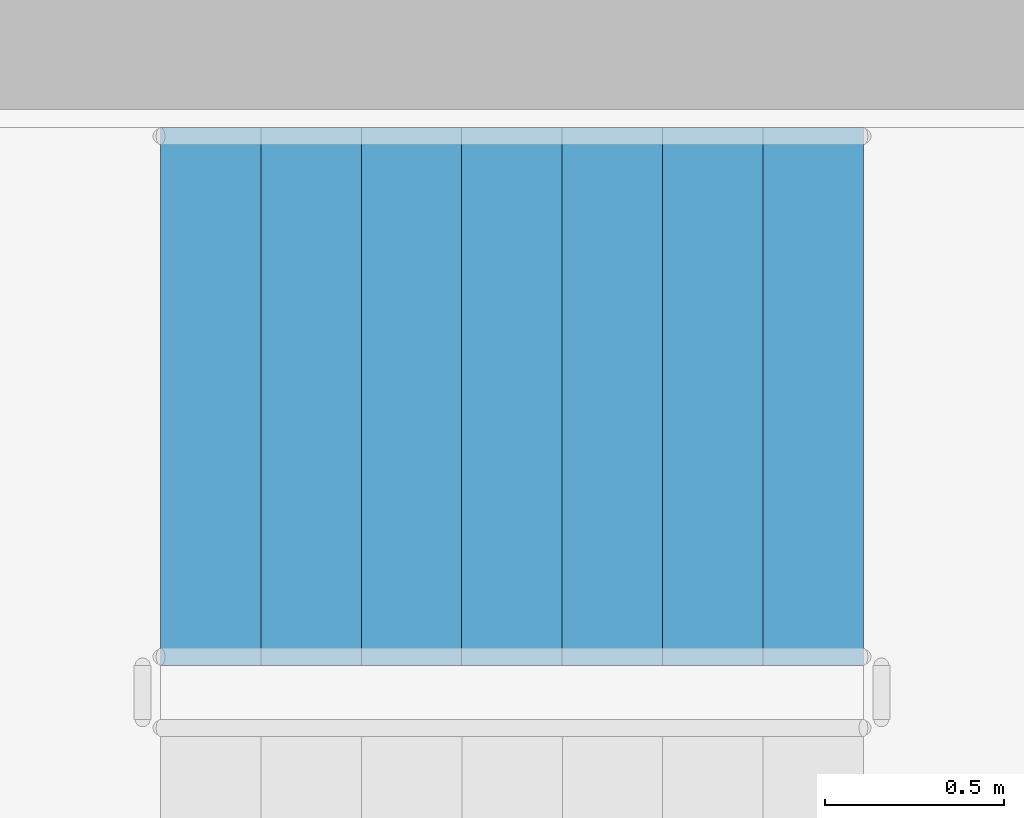
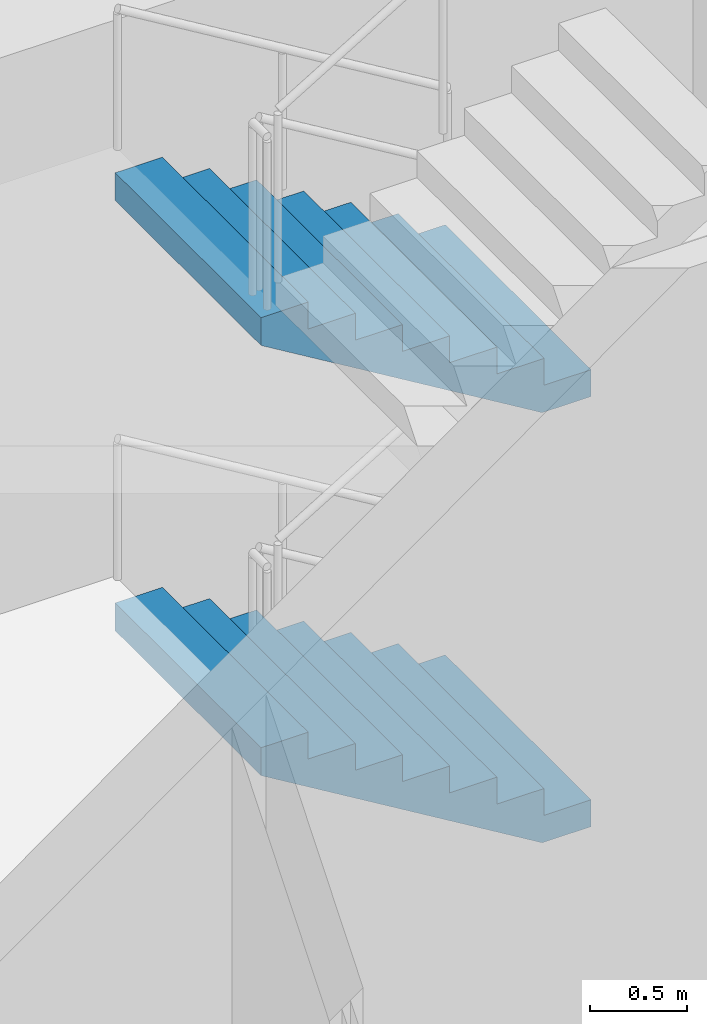
# One storey, part 46 of 101: 2 stair flights, 1 element without a shape of its own.
"""IFC4 building model written with IfcOpenShell, lengths in metres."""

from ifc_helpers import new_model, si_unit, direction, frame, origin, place, context, subcontext, project, spatial, triangles, material, type_object, element, aggregate, save


model = new_model("IFC4")

# Units and contexts
model_context = context("Model", 3, precision=1e-05, world=origin(), true_north=direction((0.0, 1.0)))
body_context = subcontext(model_context, "Body", "Model", "MODEL_VIEW")
ifc_project = project(units=[si_unit("LENGTHUNIT", "METRE"), si_unit("AREAUNIT", "SQUARE_METRE"), si_unit("VOLUMEUNIT", "CUBIC_METRE"), si_unit("PLANEANGLEUNIT", "RADIAN"), si_unit("MASSUNIT", "GRAM", prefix="KILO")], contexts=[model_context])

# Site, building, storey
site_placement = place(None, origin())
site = spatial("IfcSite", under=ifc_project, at=site_placement, CompositionType="ELEMENT")
building_placement = place(site_placement, origin())
building = spatial("IfcBuilding", under=site, at=building_placement, Name="Magnolia Steps Interchange", CompositionType="ELEMENT")
storey_placement = place(building_placement, frame((0.0, 0.0, -5.39990234375)))
storey = spatial("IfcBuildingStorey", under=building, at=storey_placement, Name="B1", CompositionType="ELEMENT", Elevation=-5.39990234375)

# Stair, stair flights
ifc_material_1 = material(Name="Concrete C40", Category="concrete")
stair_type = type_object("IfcStairType", Name="Exit stair 1500", PredefinedType="HALF_TURN_STAIR", material=ifc_material_1)
stair_placement = place(storey_placement, origin())
stair = element("IfcStair", 1, at=stair_placement, inside=storey, type_object=stair_type, Name="B1 Stair 6", PredefinedType="HALF_TURN_STAIR")
ifc_material_2 = material(Name="Concrete C40", Category="concrete")
stair_flight_type = type_object("IfcStairFlightType", Name="Exit stair flight", PredefinedType="STRAIGHT", material=ifc_material_2)
stair_flight_1_placement = place(storey_placement, frame((59.0, 51.949951171875, 0.0), z_axis=(0.0, 0.0, 1.0), x_axis=(-1.0, 0.0, 0.0)))
stair_flight_1 = element("IfcStairFlight", 2, at=stair_flight_1_placement, type_object=stair_flight_type, Name="Stair 6 flight 1", NumberOfRisers=8, NumberOfTreads=7, PredefinedType="STRAIGHT", RiserHeight=0.16875, TreadLength=0.28, context=body_context, shape_type="Tessellation", body=[
    triangles([(0.0, -0.75, 0.0), (0.29052734375, -0.75, 0.0), (1.9599609375, -0.75, 1.00634765625), (1.9599609375, -0.75, 1.18115234375), (1.679931640625, -0.75, 1.18115234375), (1.679931640625, -0.75, 1.012451171875), (1.39990234375, -0.75, 1.012451171875), (1.39990234375, -0.75, 0.84375), (1.1201171875, -0.75, 0.84375), (1.1201171875, -0.75, 0.675048828125), (0.840087890625, -0.75, 0.675048828125), (0.840087890625, -0.75, 0.50634765625), (0.56005859375, -0.75, 0.50634765625), (0.56005859375, -0.75, 0.33740234375), (0.280029296875, -0.75, 0.33740234375), (0.280029296875, -0.75, 0.168701171875), (0.0, -0.75, 0.168701171875), (0.0, 0.75, 0.0), (0.29052734375, 0.75, 0.0), (1.9599609375, 0.75, 1.00634765625), (1.9599609375, 0.75, 1.18115234375), (1.679931640625, 0.75, 1.18115234375), (1.679931640625, 0.75, 1.012451171875), (1.39990234375, 0.75, 1.012451171875), (1.39990234375, 0.75, 0.84375), (1.1201171875, 0.75, 0.84375), (1.1201171875, 0.75, 0.675048828125), (0.840087890625, 0.75, 0.675048828125), (0.840087890625, 0.75, 0.50634765625), (0.56005859375, 0.75, 0.50634765625), (0.56005859375, 0.75, 0.33740234375), (0.280029296875, 0.75, 0.33740234375), (0.280029296875, 0.75, 0.168701171875), (0.0, 0.75, 0.168701171875), (0.0, 0.0, 0.0), (0.0, 0.0, 0.04217529296875), (0.0, 0.0, 0.0843505859375), (0.0, 0.0, 0.12652587890625), (0.0, 0.0, 0.168701171875), (0.0, -0.05, 0.0), (0.0, -0.05, 0.168701171875), (0.0, 0.05, 0.0), (0.0, 0.05, 0.168701171875), (0.046671549479166664, 0.0, 0.168701171875), (0.09334309895833333, 0.0, 0.168701171875), (0.1400146484375, 0.0, 0.168701171875), (0.18668619791666666, 0.0, 0.168701171875), (0.23335774739583334, 0.0, 0.168701171875), (0.280029296875, 0.0, 0.168701171875), (0.280029296875, -0.05, 0.168701171875), (0.280029296875, 0.05, 0.168701171875), (0.280029296875, 0.0, 0.21087646484375), (0.280029296875, 0.0, 0.2530517578125), (0.280029296875, 0.0, 0.29522705078125), (0.280029296875, 0.0, 0.33740234375), (0.280029296875, -0.05, 0.33740234375), (0.280029296875, 0.05, 0.33740234375), (0.3267008463541667, 0.0, 0.33740234375), (0.3733723958333333, 0.0, 0.33740234375), (0.4200439453125, 0.0, 0.33740234375), (0.46671549479166663, 0.0, 0.33740234375), (0.5133870442708334, 0.0, 0.33740234375), (0.56005859375, 0.0, 0.33740234375), (0.56005859375, -0.05, 0.33740234375), (0.56005859375, 0.05, 0.33740234375), (0.56005859375, 0.0, 0.379638671875), (0.56005859375, 0.0, 0.421875), (0.56005859375, 0.0, 0.464111328125), (0.56005859375, 0.0, 0.50634765625), (0.56005859375, -0.05, 0.50634765625), (0.56005859375, 0.05, 0.50634765625), (0.6067301432291666, 0.0, 0.50634765625), (0.6534016927083334, 0.0, 0.50634765625), (0.7000732421875, 0.0, 0.50634765625), (0.7467447916666666, 0.0, 0.50634765625), (0.7934163411458334, 0.0, 0.50634765625), (0.840087890625, 0.0, 0.50634765625), (0.840087890625, -0.05, 0.50634765625), (0.840087890625, 0.05, 0.50634765625), (0.840087890625, 0.0, 0.54852294921875), (0.840087890625, 0.0, 0.5906982421875), (0.840087890625, 0.0, 0.63287353515625), (0.840087890625, 0.0, 0.675048828125), (0.840087890625, -0.05, 0.675048828125), (0.840087890625, 0.05, 0.675048828125), (0.8867594401041666, 0.0, 0.675048828125), (0.9334309895833334, 0.0, 0.675048828125), (0.9801025390625, 0.0, 0.675048828125), (1.0267740885416667, 0.0, 0.675048828125), (1.0734456380208333, 0.0, 0.675048828125), (1.1201171875, 0.0, 0.675048828125), (1.1201171875, -0.05, 0.675048828125), (1.1201171875, 0.05, 0.675048828125), (1.1201171875, 0.0, 0.71722412109375), (1.1201171875, 0.0, 0.7593994140625), (1.1201171875, 0.0, 0.80157470703125), (1.1201171875, 0.0, 0.84375), (1.1201171875, -0.05, 0.84375), (1.1201171875, 0.05, 0.84375), (1.1900634765625, 0.0, 0.84375), (1.260009765625, 0.0, 0.84375), (1.3299560546875, 0.0, 0.84375), (1.39990234375, 0.0, 0.84375), (1.39990234375, -0.05, 0.84375), (1.39990234375, 0.05, 0.84375), (1.39990234375, 0.0, 0.88592529296875), (1.39990234375, 0.0, 0.9281005859375), (1.39990234375, 0.0, 0.97027587890625), (1.39990234375, 0.0, 1.012451171875), (1.39990234375, -0.05, 1.012451171875), (1.39990234375, 0.05, 1.012451171875), (1.4465738932291667, 0.0, 1.012451171875), (1.4932454427083333, 0.0, 1.012451171875), (1.5399169921875, 0.0, 1.012451171875), (1.5865885416666667, 0.0, 1.012451171875), (1.6332600911458333, 0.0, 1.012451171875), (1.679931640625, 0.0, 1.012451171875), (1.679931640625, -0.05, 1.012451171875), (1.679931640625, 0.05, 1.012451171875), (1.679931640625, 0.0, 1.05462646484375), (1.679931640625, 0.0, 1.0968017578125), (1.679931640625, 0.0, 1.13897705078125), (1.679931640625, 0.0, 1.18115234375), (1.679931640625, -0.05, 1.18115234375), (1.679931640625, 0.05, 1.18115234375), (1.7266031901041667, 0.0, 1.18115234375), (1.7732747395833333, 0.0, 1.18115234375), (1.8199462890625, 0.0, 1.18115234375), (1.8666178385416667, 0.0, 1.18115234375), (1.9132893880208333, 0.0, 1.18115234375), (1.9599609375, 0.0, 1.18115234375), (1.9599609375, -0.05, 1.18115234375), (1.9599609375, 0.05, 1.18115234375), (1.9599609375, 0.0, 1.137451171875), (1.9599609375, 0.0, 1.09375), (1.9599609375, 0.0, 1.050048828125), (1.9599609375, 0.0, 1.00634765625), (1.9599609375, -0.05, 1.00634765625), (1.9599609375, 0.05, 1.00634765625), (1.9003383091517858, 0.0, 0.9704066685267857), (1.8407156808035714, 0.0, 0.9344656808035714), (1.7810930524553572, 0.0, 0.8985246930803571), (1.7214704241071428, 0.0, 0.8625837053571428), (1.6618477957589286, 0.0, 0.8266427176339286), (1.6022251674107144, 0.0, 0.7907017299107143), (1.5426025390625, 0.0, 0.7547607421875), (1.4829799107142856, 0.0, 0.7188197544642857), (1.4233572823660714, 0.0, 0.6828787667410714), (1.3637346540178572, 0.0, 0.6469377790178572), (1.3041120256696428, 0.0, 0.6109967912946428), (1.2444893973214286, 0.0, 0.5750558035714286), (1.1848667689732144, 0.0, 0.5391148158482143), (1.125244140625, 0.0, 0.503173828125), (1.0656215122767856, 0.0, 0.4672328404017857), (1.0059988839285714, 0.0, 0.4312918526785714), (0.9463762555803572, 0.0, 0.3953508649553571), (0.8867536272321428, 0.0, 0.3594098772321429), (0.8271309988839286, 0.0, 0.3234688895089286), (0.7675083705357142, 0.0, 0.2875279017857143), (0.7078857421875, 0.0, 0.2515869140625), (0.6482631138392858, 0.0, 0.2156459263392857), (0.5886404854910714, 0.0, 0.1797049386160714), (0.5290178571428572, 0.0, 0.1437639508928571), (0.4693952287946428, 0.0, 0.1078229631696429), (0.4097726004464286, 0.0, 0.0718819754464286), (0.3501499720982142, 0.0, 0.0359409877232143), (0.29052734375, 0.0, 0.0), (0.29052734375, -0.05, 0.0), (0.29052734375, 0.05, 0.0), (0.24210611979166666, 0.0, 0.0), (0.19368489583333331, 0.0, 0.0), (0.145263671875, 0.0, 0.0), (0.09684244791666666, 0.0, 0.0), (0.04842122395833334, 0.0, 0.0)], [[1, 2, 3], [3, 4, 5], [3, 5, 6], [3, 6, 7], [3, 7, 8], [8, 9, 10], [3, 8, 10], [10, 11, 12], [3, 10, 12], [12, 13, 14], [3, 12, 14], [14, 15, 16], [3, 14, 16], [1, 3, 16], [16, 17, 1], [18, 20, 19], [20, 22, 21], [20, 23, 22], [20, 24, 23], [20, 25, 24], [25, 27, 26], [20, 27, 25], [27, 29, 28], [20, 29, 27], [29, 31, 30], [20, 31, 29], [31, 33, 32], [20, 33, 31], [18, 33, 20], [33, 18, 34], [1, 17, 41], [1, 41, 40], [40, 36, 35], [40, 37, 36], [40, 41, 37], [41, 38, 37], [41, 39, 38], [18, 43, 34], [18, 42, 43], [42, 35, 36], [42, 36, 37], [42, 37, 43], [43, 37, 38], [43, 38, 39], [17, 16, 50], [17, 50, 41], [41, 44, 39], [41, 45, 44], [41, 46, 45], [41, 50, 46], [50, 47, 46], [50, 48, 47], [50, 49, 48], [34, 51, 33], [34, 43, 51], [43, 39, 44], [43, 44, 45], [43, 45, 46], [43, 46, 51], [51, 46, 47], [51, 47, 48], [51, 48, 49], [16, 15, 56], [16, 56, 50], [50, 52, 49], [50, 53, 52], [50, 56, 53], [56, 54, 53], [56, 55, 54], [33, 57, 32], [33, 51, 57], [51, 49, 52], [51, 52, 53], [51, 53, 57], [57, 53, 54], [57, 54, 55], [15, 14, 64], [15, 64, 56], [56, 58, 55], [56, 59, 58], [56, 60, 59], [56, 64, 60], [64, 61, 60], [64, 62, 61], [64, 63, 62], [32, 65, 31], [32, 57, 65], [57, 55, 58], [57, 58, 59], [57, 59, 60], [57, 60, 65], [65, 60, 61], [65, 61, 62], [65, 62, 63], [14, 13, 70], [14, 70, 64], [64, 66, 63], [64, 67, 66], [64, 70, 67], [70, 68, 67], [70, 69, 68], [31, 71, 30], [31, 65, 71], [65, 63, 66], [65, 66, 67], [65, 67, 71], [71, 67, 68], [71, 68, 69], [13, 12, 78], [13, 78, 70], [70, 72, 69], [70, 73, 72], [70, 74, 73], [70, 78, 74], [78, 75, 74], [78, 76, 75], [78, 77, 76], [30, 79, 29], [30, 71, 79], [71, 69, 72], [71, 72, 73], [71, 73, 74], [71, 74, 79], [79, 74, 75], [79, 75, 76], [79, 76, 77], [12, 11, 84], [12, 84, 78], [78, 80, 77], [78, 81, 80], [78, 84, 81], [84, 82, 81], [84, 83, 82], [29, 85, 28], [29, 79, 85], [79, 77, 80], [79, 80, 81], [79, 81, 85], [85, 81, 82], [85, 82, 83], [11, 10, 92], [11, 92, 84], [84, 86, 83], [84, 87, 86], [84, 88, 87], [84, 92, 88], [92, 89, 88], [92, 90, 89], [92, 91, 90], [28, 93, 27], [28, 85, 93], [85, 83, 86], [85, 86, 87], [85, 87, 88], [85, 88, 93], [93, 88, 89], [93, 89, 90], [93, 90, 91], [10, 9, 98], [10, 98, 92], [92, 94, 91], [92, 95, 94], [92, 98, 95], [98, 96, 95], [98, 97, 96], [27, 99, 26], [27, 93, 99], [93, 91, 94], [93, 94, 95], [93, 95, 99], [99, 95, 96], [99, 96, 97], [9, 8, 104], [9, 104, 98], [98, 100, 97], [98, 101, 100], [98, 104, 101], [104, 102, 101], [104, 103, 102], [26, 105, 25], [26, 99, 105], [99, 97, 100], [99, 100, 101], [99, 101, 105], [105, 101, 102], [105, 102, 103], [8, 7, 110], [8, 110, 104], [104, 106, 103], [104, 107, 106], [104, 110, 107], [110, 108, 107], [110, 109, 108], [25, 111, 24], [25, 105, 111], [105, 103, 106], [105, 106, 107], [105, 107, 111], [111, 107, 108], [111, 108, 109], [7, 6, 118], [7, 118, 110], [110, 112, 109], [110, 113, 112], [110, 114, 113], [110, 118, 114], [118, 115, 114], [118, 116, 115], [118, 117, 116], [24, 119, 23], [24, 111, 119], [111, 109, 112], [111, 112, 113], [111, 113, 114], [111, 114, 119], [119, 114, 115], [119, 115, 116], [119, 116, 117], [6, 5, 124], [6, 124, 118], [118, 120, 117], [118, 121, 120], [118, 124, 121], [124, 122, 121], [124, 123, 122], [23, 125, 22], [23, 119, 125], [119, 117, 120], [119, 120, 121], [119, 121, 125], [125, 121, 122], [125, 122, 123], [5, 4, 132], [5, 132, 124], [124, 126, 123], [124, 127, 126], [124, 128, 127], [124, 132, 128], [132, 129, 128], [132, 130, 129], [132, 131, 130], [22, 133, 21], [22, 125, 133], [125, 123, 126], [125, 126, 127], [125, 127, 128], [125, 128, 133], [133, 128, 129], [133, 129, 130], [133, 130, 131], [4, 3, 138], [4, 138, 132], [132, 134, 131], [132, 135, 134], [132, 138, 135], [138, 136, 135], [138, 137, 136], [21, 139, 20], [21, 133, 139], [133, 131, 134], [133, 134, 135], [133, 135, 139], [139, 135, 136], [139, 136, 137], [3, 2, 168], [3, 168, 138], [138, 140, 137], [138, 141, 140], [138, 142, 141], [138, 143, 142], [138, 144, 143], [138, 145, 144], [138, 146, 145], [138, 147, 146], [138, 148, 147], [138, 149, 148], [138, 150, 149], [138, 151, 150], [138, 152, 151], [138, 153, 152], [138, 168, 153], [168, 154, 153], [168, 155, 154], [168, 156, 155], [168, 157, 156], [168, 158, 157], [168, 159, 158], [168, 160, 159], [168, 161, 160], [168, 162, 161], [168, 163, 162], [168, 164, 163], [168, 165, 164], [168, 166, 165], [168, 167, 166], [20, 169, 19], [20, 139, 169], [139, 137, 140], [139, 140, 141], [139, 141, 142], [139, 142, 143], [139, 143, 144], [139, 144, 145], [139, 145, 146], [139, 146, 147], [139, 147, 148], [139, 148, 149], [139, 149, 150], [139, 150, 151], [139, 151, 152], [139, 152, 153], [139, 153, 169], [169, 153, 154], [169, 154, 155], [169, 155, 156], [169, 156, 157], [169, 157, 158], [169, 158, 159], [169, 159, 160], [169, 160, 161], [169, 161, 162], [169, 162, 163], [169, 163, 164], [169, 164, 165], [169, 165, 166], [169, 166, 167], [2, 1, 40], [2, 40, 168], [168, 170, 167], [168, 171, 170], [168, 172, 171], [168, 40, 172], [40, 173, 172], [40, 174, 173], [40, 35, 174], [19, 42, 18], [19, 169, 42], [169, 167, 170], [169, 170, 171], [169, 171, 172], [169, 172, 42], [42, 172, 173], [42, 173, 174], [42, 174, 35]], closed=True),
])
stair_flight_2_placement = place(storey_placement, frame((59.0, 51.949951171875, 2.699951171875), z_axis=(0.0, 0.0, 1.0), x_axis=(-1.0, 0.0, 0.0)))
stair_flight_2 = element("IfcStairFlight", 3, at=stair_flight_2_placement, type_object=stair_flight_type, Name="Stair 6 flight 3", NumberOfRisers=8, NumberOfTreads=7, PredefinedType="STRAIGHT", RiserHeight=0.16875, TreadLength=0.28, context=body_context, shape_type="Tessellation", body=[
    triangles([(0.0, -0.75, 0.0), (0.29052734375, -0.75, 0.0), (1.9599609375, -0.75, 1.00634765625), (1.9599609375, -0.75, 1.18115234375), (1.679931640625, -0.75, 1.18115234375), (1.679931640625, -0.75, 1.012451171875), (1.39990234375, -0.75, 1.012451171875), (1.39990234375, -0.75, 0.84375), (1.1201171875, -0.75, 0.84375), (1.1201171875, -0.75, 0.675048828125), (0.840087890625, -0.75, 0.675048828125), (0.840087890625, -0.75, 0.50634765625), (0.56005859375, -0.75, 0.50634765625), (0.56005859375, -0.75, 0.33740234375), (0.280029296875, -0.75, 0.33740234375), (0.280029296875, -0.75, 0.168701171875), (0.0, -0.75, 0.168701171875), (0.0, 0.75, 0.0), (0.29052734375, 0.75, 0.0), (1.9599609375, 0.75, 1.00634765625), (1.9599609375, 0.75, 1.18115234375), (1.679931640625, 0.75, 1.18115234375), (1.679931640625, 0.75, 1.012451171875), (1.39990234375, 0.75, 1.012451171875), (1.39990234375, 0.75, 0.84375), (1.1201171875, 0.75, 0.84375), (1.1201171875, 0.75, 0.675048828125), (0.840087890625, 0.75, 0.675048828125), (0.840087890625, 0.75, 0.50634765625), (0.56005859375, 0.75, 0.50634765625), (0.56005859375, 0.75, 0.33740234375), (0.280029296875, 0.75, 0.33740234375), (0.280029296875, 0.75, 0.168701171875), (0.0, 0.75, 0.168701171875), (0.0, 0.0, 0.0), (0.0, 0.0, 0.04217529296875), (0.0, 0.0, 0.0843505859375), (0.0, 0.0, 0.12652587890625), (0.0, 0.0, 0.168701171875), (0.0, -0.05, 0.0), (0.0, -0.05, 0.168701171875), (0.0, 0.05, 0.0), (0.0, 0.05, 0.168701171875), (0.046671549479166664, 0.0, 0.168701171875), (0.09334309895833333, 0.0, 0.168701171875), (0.1400146484375, 0.0, 0.168701171875), (0.18668619791666666, 0.0, 0.168701171875), (0.23335774739583334, 0.0, 0.168701171875), (0.280029296875, 0.0, 0.168701171875), (0.280029296875, -0.05, 0.168701171875), (0.280029296875, 0.05, 0.168701171875), (0.280029296875, 0.0, 0.21087646484375), (0.280029296875, 0.0, 0.2530517578125), (0.280029296875, 0.0, 0.29522705078125), (0.280029296875, 0.0, 0.33740234375), (0.280029296875, -0.05, 0.33740234375), (0.280029296875, 0.05, 0.33740234375), (0.3267008463541667, 0.0, 0.33740234375), (0.3733723958333333, 0.0, 0.33740234375), (0.4200439453125, 0.0, 0.33740234375), (0.46671549479166663, 0.0, 0.33740234375), (0.5133870442708334, 0.0, 0.33740234375), (0.56005859375, 0.0, 0.33740234375), (0.56005859375, -0.05, 0.33740234375), (0.56005859375, 0.05, 0.33740234375), (0.56005859375, 0.0, 0.379638671875), (0.56005859375, 0.0, 0.421875), (0.56005859375, 0.0, 0.464111328125), (0.56005859375, 0.0, 0.50634765625), (0.56005859375, -0.05, 0.50634765625), (0.56005859375, 0.05, 0.50634765625), (0.6067301432291666, 0.0, 0.50634765625), (0.6534016927083334, 0.0, 0.50634765625), (0.7000732421875, 0.0, 0.50634765625), (0.7467447916666666, 0.0, 0.50634765625), (0.7934163411458334, 0.0, 0.50634765625), (0.840087890625, 0.0, 0.50634765625), (0.840087890625, -0.05, 0.50634765625), (0.840087890625, 0.05, 0.50634765625), (0.840087890625, 0.0, 0.54852294921875), (0.840087890625, 0.0, 0.5906982421875), (0.840087890625, 0.0, 0.63287353515625), (0.840087890625, 0.0, 0.675048828125), (0.840087890625, -0.05, 0.675048828125), (0.840087890625, 0.05, 0.675048828125), (0.8867594401041666, 0.0, 0.675048828125), (0.9334309895833334, 0.0, 0.675048828125), (0.9801025390625, 0.0, 0.675048828125), (1.0267740885416667, 0.0, 0.675048828125), (1.0734456380208333, 0.0, 0.675048828125), (1.1201171875, 0.0, 0.675048828125), (1.1201171875, -0.05, 0.675048828125), (1.1201171875, 0.05, 0.675048828125), (1.1201171875, 0.0, 0.71722412109375), (1.1201171875, 0.0, 0.7593994140625), (1.1201171875, 0.0, 0.80157470703125), (1.1201171875, 0.0, 0.84375), (1.1201171875, -0.05, 0.84375), (1.1201171875, 0.05, 0.84375), (1.1900634765625, 0.0, 0.84375), (1.260009765625, 0.0, 0.84375), (1.3299560546875, 0.0, 0.84375), (1.39990234375, 0.0, 0.84375), (1.39990234375, -0.05, 0.84375), (1.39990234375, 0.05, 0.84375), (1.39990234375, 0.0, 0.88592529296875), (1.39990234375, 0.0, 0.9281005859375), (1.39990234375, 0.0, 0.97027587890625), (1.39990234375, 0.0, 1.012451171875), (1.39990234375, -0.05, 1.012451171875), (1.39990234375, 0.05, 1.012451171875), (1.4465738932291667, 0.0, 1.012451171875), (1.4932454427083333, 0.0, 1.012451171875), (1.5399169921875, 0.0, 1.012451171875), (1.5865885416666667, 0.0, 1.012451171875), (1.6332600911458333, 0.0, 1.012451171875), (1.679931640625, 0.0, 1.012451171875), (1.679931640625, -0.05, 1.012451171875), (1.679931640625, 0.05, 1.012451171875), (1.679931640625, 0.0, 1.05462646484375), (1.679931640625, 0.0, 1.0968017578125), (1.679931640625, 0.0, 1.13897705078125), (1.679931640625, 0.0, 1.18115234375), (1.679931640625, -0.05, 1.18115234375), (1.679931640625, 0.05, 1.18115234375), (1.7266031901041667, 0.0, 1.18115234375), (1.7732747395833333, 0.0, 1.18115234375), (1.8199462890625, 0.0, 1.18115234375), (1.8666178385416667, 0.0, 1.18115234375), (1.9132893880208333, 0.0, 1.18115234375), (1.9599609375, 0.0, 1.18115234375), (1.9599609375, -0.05, 1.18115234375), (1.9599609375, 0.05, 1.18115234375), (1.9599609375, 0.0, 1.137451171875), (1.9599609375, 0.0, 1.09375), (1.9599609375, 0.0, 1.050048828125), (1.9599609375, 0.0, 1.00634765625), (1.9599609375, -0.05, 1.00634765625), (1.9599609375, 0.05, 1.00634765625), (1.9003383091517858, 0.0, 0.9704066685267857), (1.8407156808035714, 0.0, 0.9344656808035714), (1.7810930524553572, 0.0, 0.8985246930803571), (1.7214704241071428, 0.0, 0.8625837053571428), (1.6618477957589286, 0.0, 0.8266427176339286), (1.6022251674107144, 0.0, 0.7907017299107143), (1.5426025390625, 0.0, 0.7547607421875), (1.4829799107142856, 0.0, 0.7188197544642857), (1.4233572823660714, 0.0, 0.6828787667410714), (1.3637346540178572, 0.0, 0.6469377790178572), (1.3041120256696428, 0.0, 0.6109967912946428), (1.2444893973214286, 0.0, 0.5750558035714286), (1.1848667689732144, 0.0, 0.5391148158482143), (1.125244140625, 0.0, 0.503173828125), (1.0656215122767856, 0.0, 0.4672328404017857), (1.0059988839285714, 0.0, 0.4312918526785714), (0.9463762555803572, 0.0, 0.3953508649553571), (0.8867536272321428, 0.0, 0.3594098772321429), (0.8271309988839286, 0.0, 0.3234688895089286), (0.7675083705357142, 0.0, 0.2875279017857143), (0.7078857421875, 0.0, 0.2515869140625), (0.6482631138392858, 0.0, 0.2156459263392857), (0.5886404854910714, 0.0, 0.1797049386160714), (0.5290178571428572, 0.0, 0.1437639508928571), (0.4693952287946428, 0.0, 0.1078229631696429), (0.4097726004464286, 0.0, 0.0718819754464286), (0.3501499720982142, 0.0, 0.0359409877232143), (0.29052734375, 0.0, 0.0), (0.29052734375, -0.05, 0.0), (0.29052734375, 0.05, 0.0), (0.24210611979166666, 0.0, 0.0), (0.19368489583333331, 0.0, 0.0), (0.145263671875, 0.0, 0.0), (0.09684244791666666, 0.0, 0.0), (0.04842122395833334, 0.0, 0.0)], [[1, 2, 3], [3, 4, 5], [3, 5, 6], [3, 6, 7], [3, 7, 8], [8, 9, 10], [3, 8, 10], [10, 11, 12], [3, 10, 12], [12, 13, 14], [3, 12, 14], [14, 15, 16], [3, 14, 16], [1, 3, 16], [16, 17, 1], [18, 20, 19], [20, 22, 21], [20, 23, 22], [20, 24, 23], [20, 25, 24], [25, 27, 26], [20, 27, 25], [27, 29, 28], [20, 29, 27], [29, 31, 30], [20, 31, 29], [31, 33, 32], [20, 33, 31], [18, 33, 20], [33, 18, 34], [1, 17, 41], [1, 41, 40], [40, 36, 35], [40, 37, 36], [40, 41, 37], [41, 38, 37], [41, 39, 38], [18, 43, 34], [18, 42, 43], [42, 35, 36], [42, 36, 37], [42, 37, 43], [43, 37, 38], [43, 38, 39], [17, 16, 50], [17, 50, 41], [41, 44, 39], [41, 45, 44], [41, 46, 45], [41, 50, 46], [50, 47, 46], [50, 48, 47], [50, 49, 48], [34, 51, 33], [34, 43, 51], [43, 39, 44], [43, 44, 45], [43, 45, 46], [43, 46, 51], [51, 46, 47], [51, 47, 48], [51, 48, 49], [16, 15, 56], [16, 56, 50], [50, 52, 49], [50, 53, 52], [50, 56, 53], [56, 54, 53], [56, 55, 54], [33, 57, 32], [33, 51, 57], [51, 49, 52], [51, 52, 53], [51, 53, 57], [57, 53, 54], [57, 54, 55], [15, 14, 64], [15, 64, 56], [56, 58, 55], [56, 59, 58], [56, 60, 59], [56, 64, 60], [64, 61, 60], [64, 62, 61], [64, 63, 62], [32, 65, 31], [32, 57, 65], [57, 55, 58], [57, 58, 59], [57, 59, 60], [57, 60, 65], [65, 60, 61], [65, 61, 62], [65, 62, 63], [14, 13, 70], [14, 70, 64], [64, 66, 63], [64, 67, 66], [64, 70, 67], [70, 68, 67], [70, 69, 68], [31, 71, 30], [31, 65, 71], [65, 63, 66], [65, 66, 67], [65, 67, 71], [71, 67, 68], [71, 68, 69], [13, 12, 78], [13, 78, 70], [70, 72, 69], [70, 73, 72], [70, 74, 73], [70, 78, 74], [78, 75, 74], [78, 76, 75], [78, 77, 76], [30, 79, 29], [30, 71, 79], [71, 69, 72], [71, 72, 73], [71, 73, 74], [71, 74, 79], [79, 74, 75], [79, 75, 76], [79, 76, 77], [12, 11, 84], [12, 84, 78], [78, 80, 77], [78, 81, 80], [78, 84, 81], [84, 82, 81], [84, 83, 82], [29, 85, 28], [29, 79, 85], [79, 77, 80], [79, 80, 81], [79, 81, 85], [85, 81, 82], [85, 82, 83], [11, 10, 92], [11, 92, 84], [84, 86, 83], [84, 87, 86], [84, 88, 87], [84, 92, 88], [92, 89, 88], [92, 90, 89], [92, 91, 90], [28, 93, 27], [28, 85, 93], [85, 83, 86], [85, 86, 87], [85, 87, 88], [85, 88, 93], [93, 88, 89], [93, 89, 90], [93, 90, 91], [10, 9, 98], [10, 98, 92], [92, 94, 91], [92, 95, 94], [92, 98, 95], [98, 96, 95], [98, 97, 96], [27, 99, 26], [27, 93, 99], [93, 91, 94], [93, 94, 95], [93, 95, 99], [99, 95, 96], [99, 96, 97], [9, 8, 104], [9, 104, 98], [98, 100, 97], [98, 101, 100], [98, 104, 101], [104, 102, 101], [104, 103, 102], [26, 105, 25], [26, 99, 105], [99, 97, 100], [99, 100, 101], [99, 101, 105], [105, 101, 102], [105, 102, 103], [8, 7, 110], [8, 110, 104], [104, 106, 103], [104, 107, 106], [104, 110, 107], [110, 108, 107], [110, 109, 108], [25, 111, 24], [25, 105, 111], [105, 103, 106], [105, 106, 107], [105, 107, 111], [111, 107, 108], [111, 108, 109], [7, 6, 118], [7, 118, 110], [110, 112, 109], [110, 113, 112], [110, 114, 113], [110, 118, 114], [118, 115, 114], [118, 116, 115], [118, 117, 116], [24, 119, 23], [24, 111, 119], [111, 109, 112], [111, 112, 113], [111, 113, 114], [111, 114, 119], [119, 114, 115], [119, 115, 116], [119, 116, 117], [6, 5, 124], [6, 124, 118], [118, 120, 117], [118, 121, 120], [118, 124, 121], [124, 122, 121], [124, 123, 122], [23, 125, 22], [23, 119, 125], [119, 117, 120], [119, 120, 121], [119, 121, 125], [125, 121, 122], [125, 122, 123], [5, 4, 132], [5, 132, 124], [124, 126, 123], [124, 127, 126], [124, 128, 127], [124, 132, 128], [132, 129, 128], [132, 130, 129], [132, 131, 130], [22, 133, 21], [22, 125, 133], [125, 123, 126], [125, 126, 127], [125, 127, 128], [125, 128, 133], [133, 128, 129], [133, 129, 130], [133, 130, 131], [4, 3, 138], [4, 138, 132], [132, 134, 131], [132, 135, 134], [132, 138, 135], [138, 136, 135], [138, 137, 136], [21, 139, 20], [21, 133, 139], [133, 131, 134], [133, 134, 135], [133, 135, 139], [139, 135, 136], [139, 136, 137], [3, 2, 168], [3, 168, 138], [138, 140, 137], [138, 141, 140], [138, 142, 141], [138, 143, 142], [138, 144, 143], [138, 145, 144], [138, 146, 145], [138, 147, 146], [138, 148, 147], [138, 149, 148], [138, 150, 149], [138, 151, 150], [138, 152, 151], [138, 153, 152], [138, 168, 153], [168, 154, 153], [168, 155, 154], [168, 156, 155], [168, 157, 156], [168, 158, 157], [168, 159, 158], [168, 160, 159], [168, 161, 160], [168, 162, 161], [168, 163, 162], [168, 164, 163], [168, 165, 164], [168, 166, 165], [168, 167, 166], [20, 169, 19], [20, 139, 169], [139, 137, 140], [139, 140, 141], [139, 141, 142], [139, 142, 143], [139, 143, 144], [139, 144, 145], [139, 145, 146], [139, 146, 147], [139, 147, 148], [139, 148, 149], [139, 149, 150], [139, 150, 151], [139, 151, 152], [139, 152, 153], [139, 153, 169], [169, 153, 154], [169, 154, 155], [169, 155, 156], [169, 156, 157], [169, 157, 158], [169, 158, 159], [169, 159, 160], [169, 160, 161], [169, 161, 162], [169, 162, 163], [169, 163, 164], [169, 164, 165], [169, 165, 166], [169, 166, 167], [2, 1, 40], [2, 40, 168], [168, 170, 167], [168, 171, 170], [168, 172, 171], [168, 40, 172], [40, 173, 172], [40, 174, 173], [40, 35, 174], [19, 42, 18], [19, 169, 42], [169, 167, 170], [169, 170, 171], [169, 171, 172], [169, 172, 42], [42, 172, 173], [42, 173, 174], [42, 174, 35]], closed=True),
])
aggregate(stair, [stair_flight_1, stair_flight_2])

save(model, "model.ifc")
